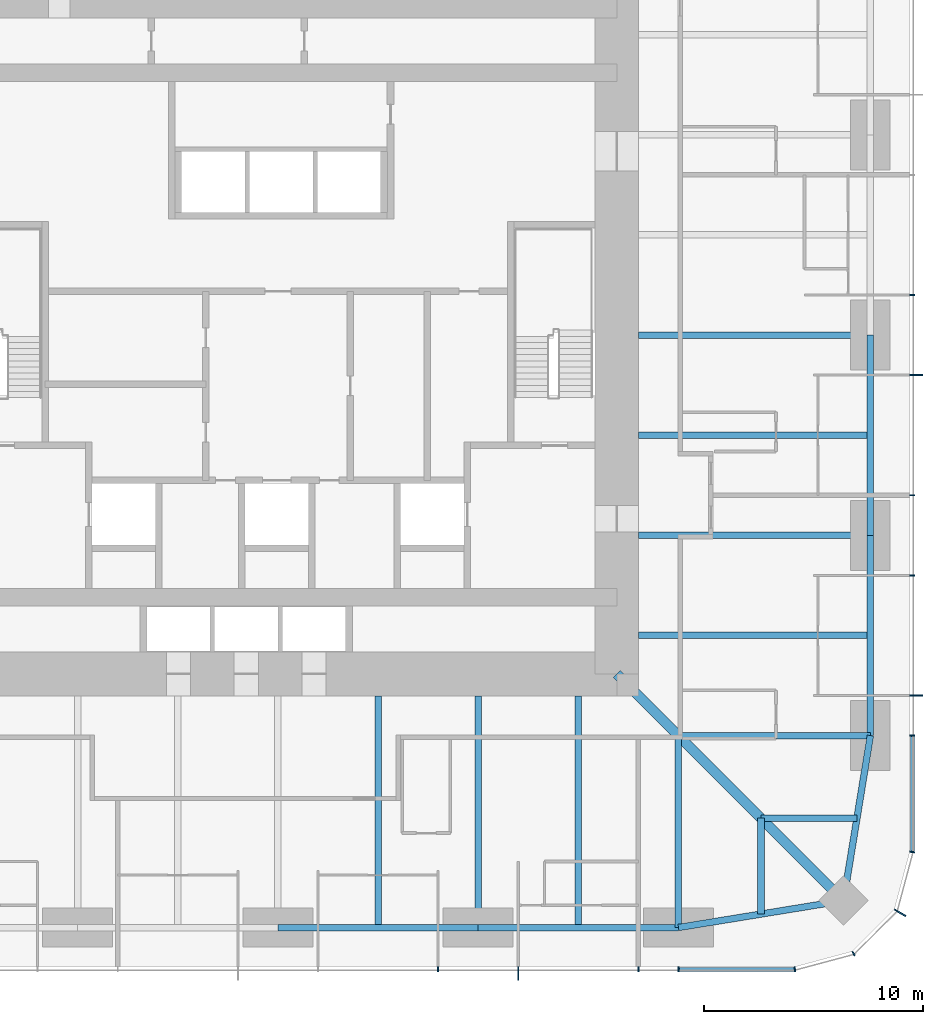
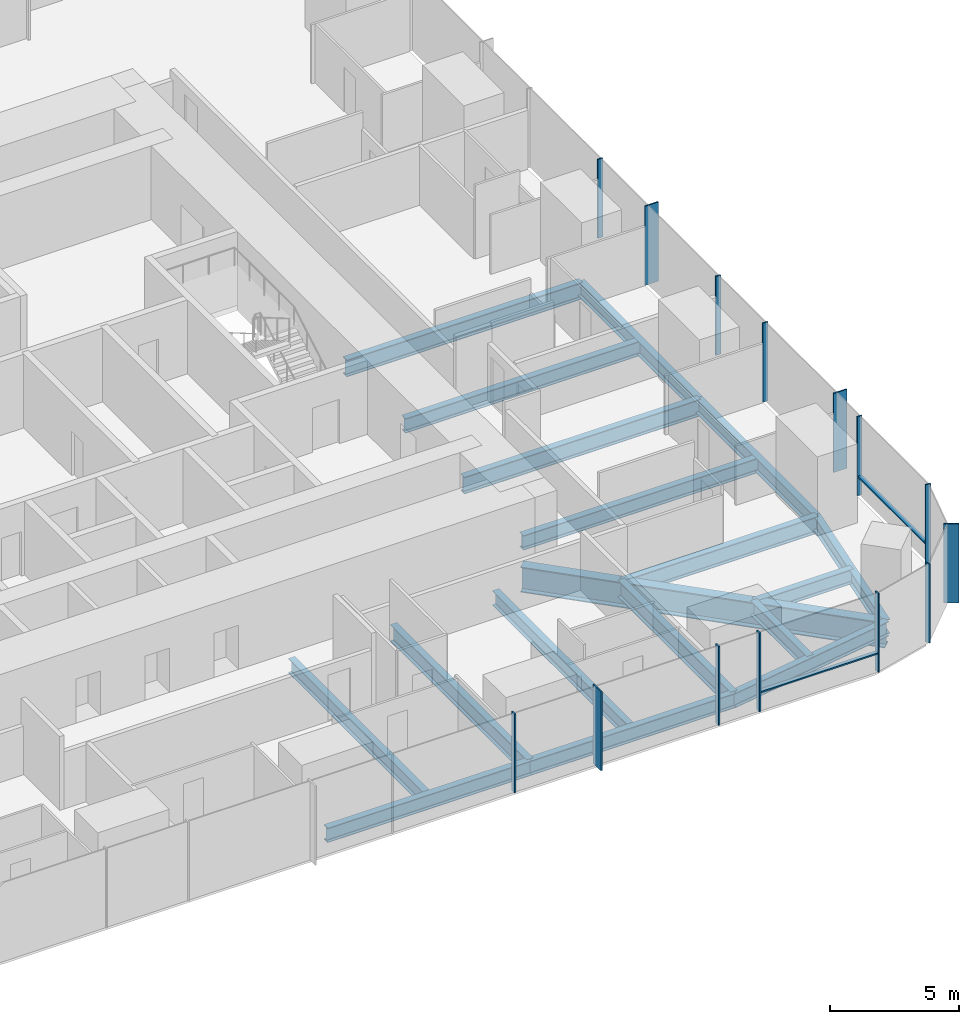
# One storey, part 4 of 13: 18 beams, 16 members, 3 elements without a shape of their own.
"""IFC4 building model written with IfcOpenShell, lengths in metres."""

from ifc_helpers import new_model, si_unit, direction, frame, origin, origin_2d, place, context, subcontext, project, spatial, rectangle, i_section, extrude, material, material_profile, profile_set, type_object, element, aggregate, save


model = new_model("IFC4")

# Units and contexts
model_context = context("Model", 3, precision=1e-05, world=origin(), true_north=direction((0.0, 1.0)))
body_context = subcontext(model_context, "Body", "Model", "MODEL_VIEW")
ifc_project = project(units=[si_unit("LENGTHUNIT", "METRE"), si_unit("AREAUNIT", "SQUARE_METRE"), si_unit("VOLUMEUNIT", "CUBIC_METRE"), si_unit("PLANEANGLEUNIT", "RADIAN"), si_unit("MASSUNIT", "GRAM", prefix="KILO")], contexts=[model_context])

# Site, building, storey
site_placement = place(None, origin())
site = spatial("IfcSite", under=ifc_project, at=site_placement, CompositionType="ELEMENT")
building_placement = place(site_placement, origin())
building = spatial("IfcBuilding", under=site, at=building_placement, Name="Khuree Lantern Residences", CompositionType="ELEMENT")
storey_placement = place(building_placement, frame((0.0, 0.0, 126.0)))
storey = spatial("IfcBuildingStorey", under=building, at=storey_placement, Name="L31", CompositionType="ELEMENT", Elevation=126.0)

# Beams
ifc_material_1 = material(Name="Steel S355", Category="steel")
ifc_material_profile_1 = material_profile(ifc_material_1, i_section(OverallWidth=0.300048828125, OverallDepth=0.68994140625, WebThickness=0.014404296875, FlangeThickness=0.027099609375, FilletRadius=0.027099609375, at=origin_2d()), Name="HE 700 A")
ifc_profile_set_1 = profile_set([ifc_material_profile_1], Name="Steel S355")
beam_type_1 = type_object("IfcBeamType", Name="B-22 SECONDARY BEAM HE 700 A", PredefinedType="BEAM", material=ifc_profile_set_1)
for number, where, z_axis, x_axis, name in (
    (1, (27.10009765625, -4.580078125, -0.594970703125), (-1.0, 0.0, 0.0), (0.0, -1.0, 0.0), "Secondary beam E4"),
    (2, (27.10009765625, -13.739990234375, -0.594970703125), (-1.0, 0.0, 0.0), (0.0, -1.0, 0.0), "Secondary beam E5"),
):
    element("IfcBeam", number, at=place(storey_placement, frame(where, z_axis=z_axis, x_axis=x_axis)), inside=storey, type_object=beam_type_1, Name=name, PredefinedType="BEAM", context=body_context, shape_type="SweptSolid", body=[
        extrude(i_section(OverallWidth=0.300048828125, OverallDepth=0.68994140625, WebThickness=0.014404296875, FlangeThickness=0.027099609375, FilletRadius=0.027099609375, at=origin_2d()), origin(), (0.0, 0.0, 1.0), 10.60009765625),
    ])
for number, where, z_axis, x_axis, name in (
    (3, (26.48486328125, -22.094970703125, -0.594970703125), (-1.0, 0.0, 0.0), (0.0, -1.0, 0.0), "Secondary beam E6"),
    (4, (22.094970703125, -26.48486328125, -0.594970703125), (0.0, 1.0, 0.0), (-1.0, 0.0, 0.0), "Secondary beam S1"),
):
    element("IfcBeam", number, at=place(storey_placement, frame(where, z_axis=z_axis, x_axis=x_axis)), inside=storey, type_object=beam_type_1, Name=name, PredefinedType="BEAM", context=body_context, shape_type="SweptSolid", body=[
        extrude(i_section(OverallWidth=0.300048828125, OverallDepth=0.68994140625, WebThickness=0.014404296875, FlangeThickness=0.027099609375, FilletRadius=0.027099609375, at=origin_2d()), origin(), (0.0, 0.0, 1.0), 4.389892578125),
    ])
for number, where, z_axis, x_axis, name in (
    (5, (13.739990234375, -27.10009765625, -0.594970703125), (0.0, 1.0, 0.0), (-1.0, 0.0, 0.0), "Secondary beam S2"),
    (6, (4.580078125, -27.10009765625, -0.594970703125), (0.0, 1.0, 0.0), (-1.0, 0.0, 0.0), "Secondary beam S3"),
):
    element("IfcBeam", number, at=place(storey_placement, frame(where, z_axis=z_axis, x_axis=x_axis)), inside=storey, type_object=beam_type_1, Name=name, PredefinedType="BEAM", context=body_context, shape_type="SweptSolid", body=[
        extrude(i_section(OverallWidth=0.300048828125, OverallDepth=0.68994140625, WebThickness=0.014404296875, FlangeThickness=0.027099609375, FilletRadius=0.027099609375, at=origin_2d()), origin(), (0.0, 0.0, 1.0), 10.60009765625),
    ])
ifc_material_profile_2 = material_profile(ifc_material_1, i_section(OverallWidth=0.300048828125, OverallDepth=0.68994140625, WebThickness=0.014404296875, FlangeThickness=0.027099609375, FilletRadius=0.027099609375, at=origin_2d()), Name="HE 700 A")
ifc_profile_set_2 = profile_set([ifc_material_profile_2], Name="Steel S355")
beam_type_2 = type_object("IfcBeamType", Name="E-22 SPANDREL BEAM HE 700 A", PredefinedType="SPANDREL", material=ifc_profile_set_2)
beam_1_placement = place(storey_placement, frame((27.10009765625, 0.0, -0.594970703125), z_axis=(0.0, -1.0, 0.0), x_axis=(1.0, 0.0, 0.0)))
element("IfcBeam", 7, at=beam_1_placement, inside=storey, type_object=beam_type_2, Name="Spandrel beam E4", PredefinedType="SPANDREL", context=body_context, shape_type="SweptSolid", body=[
    extrude(i_section(OverallWidth=0.300048828125, OverallDepth=0.68994140625, WebThickness=0.014404296875, FlangeThickness=0.027099609375, FilletRadius=0.027099609375, at=origin_2d()), origin(), (0.0, 0.0, 1.0), 9.159912109375),
])
beam_2_placement = place(storey_placement, frame((27.10009765625, -9.159912109375, -0.594970703125), z_axis=(0.0, -1.0, 0.0), x_axis=(1.0, 0.0, 0.0)))
element("IfcBeam", 8, at=beam_2_placement, inside=storey, type_object=beam_type_2, Name="Spandrel beam E5", PredefinedType="SPANDREL", context=body_context, shape_type="SweptSolid", body=[
    extrude(i_section(OverallWidth=0.300048828125, OverallDepth=0.68994140625, WebThickness=0.014404296875, FlangeThickness=0.027099609375, FilletRadius=0.027099609375, at=origin_2d()), origin(), (0.0, 0.0, 1.0), 9.16015625),
])
for number, where, z_axis, x_axis, name in (
    (9, (27.10009765625, -18.320068359375, -0.594970703125), (-0.160826723833, -0.986982656839, 0.0), (0.986982656839, -0.160826723833, 0.0), "Spandrel beam E6"),
    (10, (25.869873046875, -25.869873046875, -0.594970703125), (-0.986982656839, -0.160826723833, 0.0), (0.160826723833, -0.986982656839, 0.0), "Spandrel beam S1"),
):
    element("IfcBeam", number, at=place(storey_placement, frame(where, z_axis=z_axis, x_axis=x_axis)), inside=storey, type_object=beam_type_2, Name=name, PredefinedType="SPANDREL", context=body_context, shape_type="SweptSolid", body=[
        extrude(i_section(OverallWidth=0.300048828125, OverallDepth=0.68994140625, WebThickness=0.014404296875, FlangeThickness=0.027099609375, FilletRadius=0.027099609375, at=origin_2d()), origin(), (0.0, 0.0, 1.0), 7.6494140625),
    ])
beam_3_placement = place(storey_placement, frame((18.320068359375, -27.10009765625, -0.594970703125), z_axis=(-1.0, 0.0, 0.0), x_axis=(0.0, -1.0, 0.0)))
element("IfcBeam", 11, at=beam_3_placement, inside=storey, type_object=beam_type_2, Name="Spandrel beam S2", PredefinedType="SPANDREL", context=body_context, shape_type="SweptSolid", body=[
    extrude(i_section(OverallWidth=0.300048828125, OverallDepth=0.68994140625, WebThickness=0.014404296875, FlangeThickness=0.027099609375, FilletRadius=0.027099609375, at=origin_2d()), origin(), (0.0, 0.0, 1.0), 9.16015625),
])
beam_4_placement = place(storey_placement, frame((9.159912109375, -27.10009765625, -0.594970703125), z_axis=(-1.0, 0.0, 0.0), x_axis=(0.0, -1.0, 0.0)))
element("IfcBeam", 12, at=beam_4_placement, inside=storey, type_object=beam_type_2, Name="Spandrel beam S3", PredefinedType="SPANDREL", context=body_context, shape_type="SweptSolid", body=[
    extrude(i_section(OverallWidth=0.300048828125, OverallDepth=0.68994140625, WebThickness=0.014404296875, FlangeThickness=0.027099609375, FilletRadius=0.027099609375, at=origin_2d()), origin(), (0.0, 0.0, 1.0), 9.159912109375),
])

# Curtain wall, member
ifc_material_2 = material(Name="Bronze anodised aluminium", Category="aluminium")
curtain_wall_type_1 = type_object("IfcCurtainWallType", Name="CW-T2 TOWER CORNER CURTAIN WALL", PredefinedType="USERDEFINED", material=ifc_material_2)
curtain_wall_1_placement = place(storey_placement, origin())
curtain_wall_1 = element("IfcCurtainWall", 13, at=curtain_wall_1_placement, inside=storey, type_object=curtain_wall_type_1, Name="L31 SOUTH-EAST CORNER CURTAIN WALL", ObjectType="Faceted corner curtain wall", PredefinedType="USERDEFINED")
ifc_material_profile_3 = material_profile(ifc_material_2, rectangle(XDim=0.06494140625, YDim=0.60009765625, at=origin_2d()), Name="F1 65X600")
ifc_profile_set_3 = profile_set([ifc_material_profile_3], Name="Bronze anodised aluminium")
member_type_1 = type_object("IfcMemberType", Name="F1 BRONZE FIN MULLION TOWER 65X600", PredefinedType="MULLION", material=ifc_profile_set_3)
member_1_placement = place(storey_placement, frame((28.45654296875, -26.425048828125, 0.0), z_axis=(0.0, 0.0, 1.0), x_axis=(0.500000026995, 0.866025388199, 0.0)))
member_1 = element("IfcMember", 14, at=member_1_placement, type_object=member_type_1, Name="L31 SOUTH-EAST CORNER FIN MULLION 3", PredefinedType="MULLION", context=body_context, shape_type="SweptSolid", body=[
    extrude(rectangle(XDim=0.06494140625, YDim=0.60009765625, at=origin_2d()), origin(), (0.0, 0.0, 1.0), 3.75),
])

# Curtain wall, members
curtain_wall_type_2 = type_object("IfcCurtainWallType", Name="CW-T1 TOWER FACE CURTAIN WALL", PredefinedType="USERDEFINED", material=ifc_material_2)
curtain_wall_2_placement = place(storey_placement, origin())
curtain_wall_2 = element("IfcCurtainWall", 15, at=curtain_wall_2_placement, inside=storey, type_object=curtain_wall_type_2, Name="L31 EAST FACE CURTAIN WALL", ObjectType="Stick-built curtain wall", PredefinedType="USERDEFINED")
member_2_placement = place(storey_placement, frame((29.199951171875, -16.488037109375, 0.0), z_axis=(0.0, 0.0, 1.0), x_axis=(0.0, 1.0, 0.0)))
member_2 = element("IfcMember", 16, at=member_2_placement, type_object=member_type_1, Name="L31 EAST FACE FIN MULLION 6", PredefinedType="MULLION", context=body_context, shape_type="SweptSolid", body=[
    extrude(rectangle(XDim=0.06494140625, YDim=0.60009765625, at=origin_2d()), origin(), (0.0, 0.0, 1.0), 3.75),
])
member_3_placement = place(storey_placement, frame((29.199951171875, -1.83203125, 0.0), z_axis=(0.0, 0.0, 1.0), x_axis=(0.0, 1.0, 0.0)))
member_3 = element("IfcMember", 17, at=member_3_placement, type_object=member_type_1, Name="L31 EAST FACE FIN MULLION 9", PredefinedType="MULLION", context=body_context, shape_type="SweptSolid", body=[
    extrude(rectangle(XDim=0.06494140625, YDim=0.60009765625, at=origin_2d()), origin(), (0.0, 0.0, 1.0), 3.75),
])

# Curtain wall, member
curtain_wall_3_placement = place(storey_placement, origin())
curtain_wall_3 = element("IfcCurtainWall", 18, at=curtain_wall_3_placement, inside=storey, type_object=curtain_wall_type_2, Name="L31 SOUTH FACE CURTAIN WALL", ObjectType="Stick-built curtain wall", PredefinedType="USERDEFINED")
member_4_placement = place(storey_placement, frame((10.991943359375, -29.199951171875, 0.0), z_axis=(0.0, 0.0, 1.0), x_axis=(1.0, 0.0, 0.0)))
member_4 = element("IfcMember", 19, at=member_4_placement, type_object=member_type_1, Name="L31 SOUTH FACE FIN MULLION 54", PredefinedType="MULLION", context=body_context, shape_type="SweptSolid", body=[
    extrude(rectangle(XDim=0.06494140625, YDim=0.60009765625, at=origin_2d()), origin(), (0.0, 0.0, 1.0), 3.75),
])

# Beams
ifc_material_profile_4 = material_profile(ifc_material_1, i_section(OverallWidth=0.300048828125, OverallDepth=0.800048828125, WebThickness=0.017578125, FlangeThickness=0.032958984375, FilletRadius=0.030029296875, at=origin_2d()), Name="HE 800 B")
ifc_profile_set_4 = profile_set([ifc_material_profile_4], Name="Steel S355")
beam_type_3 = type_object("IfcBeamType", Name="G-22 GIRDER HE 800 B", PredefinedType="BEAM", material=ifc_profile_set_4)
for number, where, z_axis, x_axis, name in (
    (20, (27.10009765625, 0.0, -0.64990234375), (-1.0, 0.0, 0.0), (0.0, -1.0, 0.0), "Girder E3"),
    (21, (27.10009765625, -9.159912109375, -0.64990234375), (-1.0, 0.0, 0.0), (0.0, -1.0, 0.0), "Girder E4"),
):
    element("IfcBeam", number, at=place(storey_placement, frame(where, z_axis=z_axis, x_axis=x_axis)), inside=storey, type_object=beam_type_3, Name=name, PredefinedType="BEAM", context=body_context, shape_type="SweptSolid", body=[
        extrude(i_section(OverallWidth=0.300048828125, OverallDepth=0.800048828125, WebThickness=0.017578125, FlangeThickness=0.032958984375, FilletRadius=0.030029296875, at=origin_2d()), origin(), (0.0, 0.0, 1.0), 10.60009765625),
    ])
for number, where, z_axis, x_axis, name in (
    (22, (27.10009765625, -18.320068359375, -0.64990234375), (-1.0, 0.0, 0.0), (0.0, -1.0, 0.0), "Girder E5"),
    (23, (18.320068359375, -27.10009765625, -0.64990234375), (0.0, 1.0, 0.0), (-1.0, 0.0, 0.0), "Girder S1"),
):
    element("IfcBeam", number, at=place(storey_placement, frame(where, z_axis=z_axis, x_axis=x_axis)), inside=storey, type_object=beam_type_3, Name=name, PredefinedType="BEAM", context=body_context, shape_type="SweptSolid", body=[
        extrude(i_section(OverallWidth=0.300048828125, OverallDepth=0.800048828125, WebThickness=0.017578125, FlangeThickness=0.032958984375, FilletRadius=0.030029296875, at=origin_2d()), origin(), (0.0, 0.0, 1.0), 8.780029296875),
    ])
beam_5_placement = place(storey_placement, frame((9.159912109375, -27.10009765625, -0.64990234375), z_axis=(0.0, 1.0, 0.0), x_axis=(-1.0, 0.0, 0.0)))
element("IfcBeam", 24, at=beam_5_placement, inside=storey, type_object=beam_type_3, Name="Girder S2", PredefinedType="BEAM", context=body_context, shape_type="SweptSolid", body=[
    extrude(i_section(OverallWidth=0.300048828125, OverallDepth=0.800048828125, WebThickness=0.017578125, FlangeThickness=0.032958984375, FilletRadius=0.030029296875, at=origin_2d()), origin(), (0.0, 0.0, 1.0), 10.60009765625),
])
ifc_material_profile_5 = material_profile(ifc_material_1, i_section(OverallWidth=0.449951171875, OverallDepth=1.199951171875, WebThickness=0.02490234375, FlangeThickness=0.044921875, at=origin_2d()), Name="WELDED I 1200X450X25X45")
ifc_profile_set_5 = profile_set([ifc_material_profile_5], Name="Steel S355")
beam_type_4 = type_object("IfcBeamType", Name="GD-22 CORNER GIRDER WELDED I 1200X450X25X45", PredefinedType="BEAM", material=ifc_profile_set_5)
beam_6_placement = place(storey_placement, frame((25.869873046875, -25.869873046875, -0.85009765625), z_axis=(-0.707106781187, 0.707106781187, 0.0), x_axis=(-0.707106781187, -0.707106781187, 0.0)))
element("IfcBeam", 25, at=beam_6_placement, inside=storey, type_object=beam_type_4, Name="Corner girder SE", PredefinedType="BEAM", context=body_context, shape_type="SweptSolid", body=[
    extrude(i_section(OverallWidth=0.449951171875, OverallDepth=1.199951171875, WebThickness=0.02490234375, FlangeThickness=0.044921875, at=origin_2d()), origin(), (0.0, 0.0, 1.0), 14.665283203125),
])

# Member
ifc_material_profile_6 = material_profile(ifc_material_2, rectangle(XDim=0.06494140625, YDim=0.219970703125, at=origin_2d()), Name="M1 65X220")
ifc_profile_set_6 = profile_set([ifc_material_profile_6], Name="Bronze anodised aluminium")
member_type_2 = type_object("IfcMemberType", Name="M1 BRONZE MULLION TOWER 65X220", PredefinedType="MULLION", material=ifc_profile_set_6)
member_5_placement = place(storey_placement, frame((23.64501953125, -29.01171875, 0.0), z_axis=(0.0, 0.0, 1.0), x_axis=(0.991444857305, 0.130526223125, 0.0)))
member_5 = element("IfcMember", 26, at=member_5_placement, type_object=member_type_2, Name="L31 SOUTH-EAST CORNER MULLION 1", PredefinedType="MULLION", context=body_context, shape_type="SweptSolid", body=[
    extrude(rectangle(XDim=0.06494140625, YDim=0.219970703125, at=origin_2d()), origin(), (0.0, 0.0, 1.0), 3.75),
])

member_6_placement = place(storey_placement, frame((26.330078125, -28.2919921875, 0.0), z_axis=(0.0, 0.0, 1.0), x_axis=(0.866025388199, 0.500000026995, 0.0)))
member_6 = element("IfcMember", 27, at=member_6_placement, type_object=member_type_2, Name="L31 SOUTH-EAST CORNER MULLION 2", PredefinedType="MULLION", context=body_context, shape_type="SweptSolid", body=[
    extrude(rectangle(XDim=0.06494140625, YDim=0.219970703125, at=origin_2d()), origin(), (0.0, 0.0, 1.0), 3.75),
])

aggregate(curtain_wall_1, [member_5, member_6, member_1])

member_7_placement = place(storey_placement, frame((29.01171875, -23.64501953125, 0.0), z_axis=(0.0, 0.0, 1.0), x_axis=(0.130526223125, 0.991444857305, 0.0)))
member_7 = element("IfcMember", 28, at=member_7_placement, type_object=member_type_2, Name="L31 EAST FACE MULLION 4", PredefinedType="MULLION", context=body_context, shape_type="SweptSolid", body=[
    extrude(rectangle(XDim=0.06494140625, YDim=0.219970703125, at=origin_2d()), origin(), (0.0, 0.0, 1.0), 3.75),
])

member_8_placement = place(storey_placement, frame((29.010009765625, -18.320068359375, 0.0), z_axis=(0.0, 0.0, 1.0), x_axis=(0.0, 1.0, 0.0)))
member_8 = element("IfcMember", 29, at=member_8_placement, type_object=member_type_2, Name="L31 EAST FACE MULLION 5", PredefinedType="MULLION", context=body_context, shape_type="SweptSolid", body=[
    extrude(rectangle(XDim=0.06494140625, YDim=0.219970703125, at=origin_2d()), origin(), (0.0, 0.0, 1.0), 3.75),
])

member_9_placement = place(storey_placement, frame((29.010009765625, -10.991943359375, 0.0), z_axis=(0.0, 0.0, 1.0), x_axis=(0.0, 1.0, 0.0)))
member_9 = element("IfcMember", 30, at=member_9_placement, type_object=member_type_2, Name="L31 EAST FACE MULLION 7", PredefinedType="MULLION", context=body_context, shape_type="SweptSolid", body=[
    extrude(rectangle(XDim=0.06494140625, YDim=0.219970703125, at=origin_2d()), origin(), (0.0, 0.0, 1.0), 3.75),
])

member_10_placement = place(storey_placement, frame((29.010009765625, -7.327880859375, 0.0), z_axis=(0.0, 0.0, 1.0), x_axis=(0.0, 1.0, 0.0)))
member_10 = element("IfcMember", 31, at=member_10_placement, type_object=member_type_2, Name="L31 EAST FACE MULLION 8", PredefinedType="MULLION", context=body_context, shape_type="SweptSolid", body=[
    extrude(rectangle(XDim=0.06494140625, YDim=0.219970703125, at=origin_2d()), origin(), (0.0, 0.0, 1.0), 3.75),
])

member_11_placement = place(storey_placement, frame((29.010009765625, 1.83203125, 0.0), z_axis=(0.0, 0.0, 1.0), x_axis=(0.0, 1.0, 0.0)))
member_11 = element("IfcMember", 32, at=member_11_placement, type_object=member_type_2, Name="L31 EAST FACE MULLION 10", PredefinedType="MULLION", context=body_context, shape_type="SweptSolid", body=[
    extrude(rectangle(XDim=0.06494140625, YDim=0.219970703125, at=origin_2d()), origin(), (0.0, 0.0, 1.0), 3.75),
])

member_12_placement = place(storey_placement, frame((7.327880859375, -29.010009765625, 0.0), z_axis=(0.0, 0.0, 1.0), x_axis=(1.0, 0.0, 0.0)))
member_12 = element("IfcMember", 33, at=member_12_placement, type_object=member_type_2, Name="L31 SOUTH FACE MULLION 53", PredefinedType="MULLION", context=body_context, shape_type="SweptSolid", body=[
    extrude(rectangle(XDim=0.06494140625, YDim=0.219970703125, at=origin_2d()), origin(), (0.0, 0.0, 1.0), 3.75),
])

member_13_placement = place(storey_placement, frame((16.488037109375, -29.010009765625, 0.0), z_axis=(0.0, 0.0, 1.0), x_axis=(1.0, 0.0, 0.0)))
member_13 = element("IfcMember", 34, at=member_13_placement, type_object=member_type_2, Name="L31 SOUTH FACE MULLION 55", PredefinedType="MULLION", context=body_context, shape_type="SweptSolid", body=[
    extrude(rectangle(XDim=0.06494140625, YDim=0.219970703125, at=origin_2d()), origin(), (0.0, 0.0, 1.0), 3.75),
])

member_14_placement = place(storey_placement, frame((18.320068359375, -29.010009765625, 0.0), z_axis=(0.0, 0.0, 1.0), x_axis=(1.0, 0.0, 0.0)))
member_14 = element("IfcMember", 35, at=member_14_placement, type_object=member_type_2, Name="L31 SOUTH FACE MULLION 56", PredefinedType="MULLION", context=body_context, shape_type="SweptSolid", body=[
    extrude(rectangle(XDim=0.06494140625, YDim=0.219970703125, at=origin_2d()), origin(), (0.0, 0.0, 1.0), 3.75),
])

ifc_material_profile_7 = material_profile(ifc_material_2, rectangle(XDim=0.179931640625, YDim=0.06494140625, at=origin_2d()), Name="T1 180X65")
ifc_profile_set_7 = profile_set([ifc_material_profile_7], Name="Bronze anodised aluminium")
member_type_3 = type_object("IfcMemberType", Name="TRANSOM T1 TOWER 180X65", PredefinedType="USERDEFINED", material=ifc_profile_set_7)
member_15_placement = place(storey_placement, frame((29.02001953125, -23.601318359375, 0.89990234375), z_axis=(0.0, 1.0, 0.0), x_axis=(-1.0, 0.0, 0.0)))
member_15 = element("IfcMember", 36, at=member_15_placement, type_object=member_type_3, Name="L31 EAST FACE TRANSOM 4.1", ObjectType="Transom", PredefinedType="USERDEFINED", context=body_context, shape_type="SweptSolid", body=[
    extrude(rectangle(XDim=0.179931640625, YDim=0.06494140625, at=origin_2d()), origin(), (0.0, 0.0, 1.0), 5.248779296875),
])

aggregate(curtain_wall_2, [member_7, member_8, member_2, member_9, member_10, member_3, member_11, member_15])

member_16_placement = place(storey_placement, frame((18.3525390625, -29.02001953125, 0.89990234375), z_axis=(1.0, 0.0, 0.0), x_axis=(0.0, 1.0, 0.0)))
member_16 = element("IfcMember", 37, at=member_16_placement, type_object=member_type_3, Name="L31 SOUTH FACE TRANSOM 56.1", ObjectType="Transom", PredefinedType="USERDEFINED", context=body_context, shape_type="SweptSolid", body=[
    extrude(rectangle(XDim=0.179931640625, YDim=0.06494140625, at=origin_2d()), origin(), (0.0, 0.0, 1.0), 5.248779296875),
])

aggregate(curtain_wall_3, [member_12, member_4, member_13, member_14, member_16])

save(model, "model.ifc")
